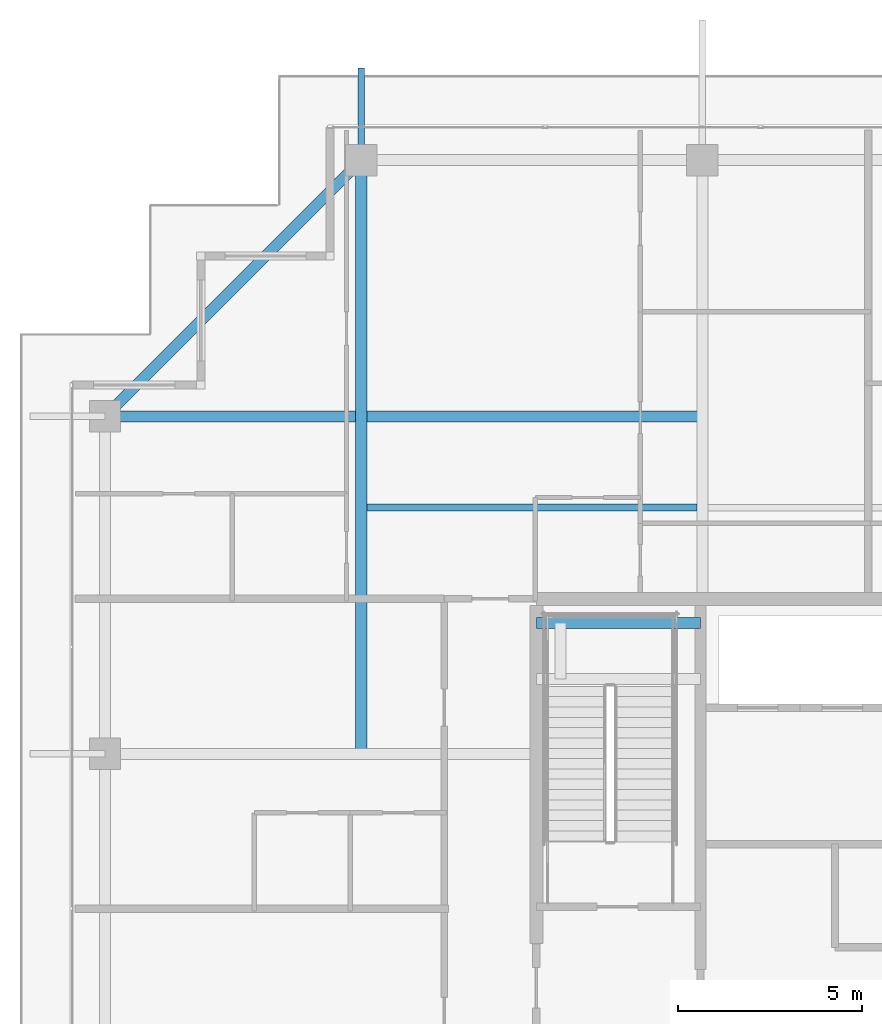
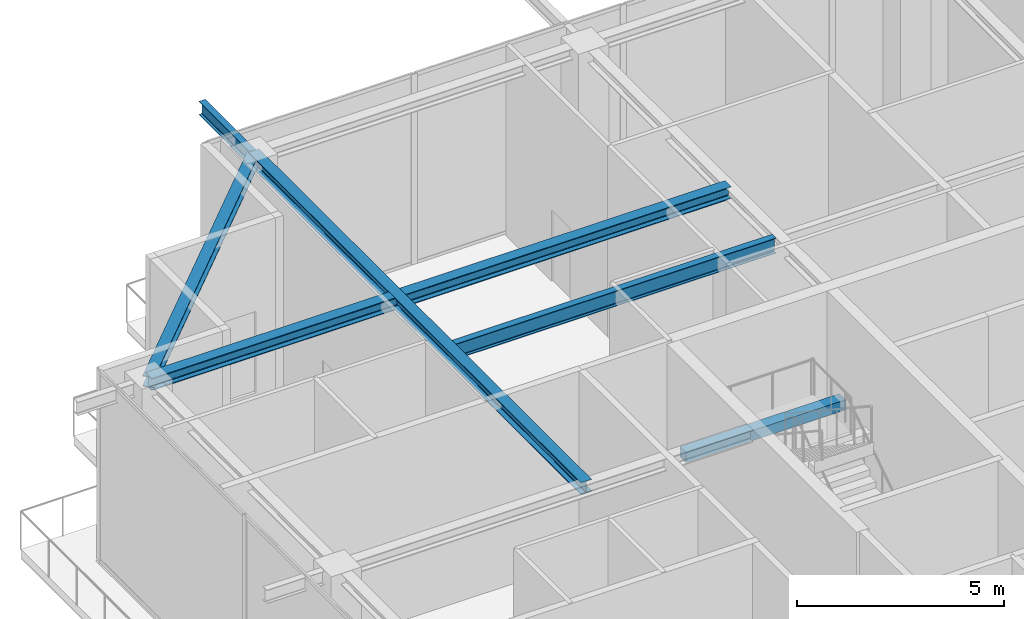
# One storey, part 18 of 38: 6 beams.
"""IFC4 building model written with IfcOpenShell, lengths in metres."""

from ifc_helpers import new_model, si_unit, direction, frame, origin, origin_2d, place, context, subcontext, project, spatial, rectangle, i_section, extrude, source, transform, mapped, material, material_profile, profile_set, type_object, element, save


model = new_model("IFC4")

# Units and contexts
model_context = context("Model", 3, precision=1e-05, world=origin(), true_north=direction((0.0, 1.0)))
body_context = subcontext(model_context, "Body", "Model", "MODEL_VIEW")
ifc_project = project(units=[si_unit("LENGTHUNIT", "METRE"), si_unit("AREAUNIT", "SQUARE_METRE"), si_unit("VOLUMEUNIT", "CUBIC_METRE"), si_unit("PLANEANGLEUNIT", "RADIAN"), si_unit("MASSUNIT", "GRAM", prefix="KILO")], contexts=[model_context])

# Site, building, storey
site_placement = place(None, origin())
site = spatial("IfcSite", under=ifc_project, at=site_placement, CompositionType="ELEMENT")
building_placement = place(site_placement, origin())
building = spatial("IfcBuilding", under=site, at=building_placement, Name="Serunith Strait Residences", CompositionType="ELEMENT")
storey_placement = place(building_placement, frame((0.0, 0.0, 342.050048828125)))
storey = spatial("IfcBuildingStorey", under=building, at=storey_placement, Name="L85", CompositionType="ELEMENT", Elevation=342.050048828125)

# Beams
ifc_material_1 = material(Name="Steel S355J2", Category="steel")
ifc_material_profile_1 = material_profile(ifc_material_1, i_section(OverallWidth=0.300048828125, OverallDepth=0.360107421875, WebThickness=0.012451171875, FlangeThickness=0.0224609375, FilletRadius=0.027099609375, at=origin_2d()), Name="HEB 360")
ifc_profile_set_1 = profile_set([ifc_material_profile_1], Name="Steel S355J2")
beam_type_1 = type_object("IfcBeamType", Name="BM-HEB360", PredefinedType="BEAM", material=ifc_profile_set_1)
shared_shape_1 = source(origin(), body_context, "Body", "SweptSolid", [
    extrude(i_section(OverallWidth=0.300048828125, OverallDepth=0.360107421875, WebThickness=0.012451171875, FlangeThickness=0.0224609375, FilletRadius=0.027099609375, at=origin_2d()), origin(), (0.0, 0.0, 1.0), 16.10009765625),
])
beam_1_placement = place(storey_placement, frame((18.64990234375, 29.39990234375, 5.45703125), z_axis=(0.0, 1.0, 0.0), x_axis=(-1.0, 0.0, 0.0)))
element("IfcBeam", 1, at=beam_1_placement, inside=storey, type_object=beam_type_1, Name="L85 Orthogonal Corner Girder TC-N1", PredefinedType="BEAM", context=body_context, shape_type="MappedRepresentation", body=[
    mapped(shared_shape_1, transform((0.0, 0.0, 0.0), scale=1.0)),
])
shared_shape_2 = source(origin(), body_context, "Body", "SweptSolid", [
    extrude(i_section(OverallWidth=0.300048828125, OverallDepth=0.360107421875, WebThickness=0.012451171875, FlangeThickness=0.0224609375, FilletRadius=0.027099609375, at=origin_2d()), origin(), (0.0, 0.0, 1.0), 16.199951171875),
])
beam_2_placement = place(storey_placement, frame((27.89990234375, 38.550048828125, 5.45703125), z_axis=(-1.0, 0.0, 0.0), x_axis=(0.0, -1.0, 0.0)))
element("IfcBeam", 2, at=beam_2_placement, inside=storey, type_object=beam_type_1, Name="L85 Orthogonal Corner Girder TC-W4", PredefinedType="BEAM", context=body_context, shape_type="MappedRepresentation", body=[
    mapped(shared_shape_2, transform((0.0, 0.0, 0.0), scale=1.0)),
])
ifc_material_profile_2 = material_profile(ifc_material_1, i_section(OverallWidth=0.300048828125, OverallDepth=0.320068359375, WebThickness=0.011474609375, FlangeThickness=0.0205078125, FilletRadius=0.027099609375, at=origin_2d()), Name="HEB 320")
ifc_profile_set_2 = profile_set([ifc_material_profile_2], Name="Steel S355J2")
beam_type_2 = type_object("IfcBeamType", Name="BM-HEB320", PredefinedType="BEAM", material=ifc_profile_set_2)
shared_shape_3 = source(origin(), body_context, "Body", "SweptSolid", [
    extrude(i_section(OverallWidth=0.300048828125, OverallDepth=0.320068359375, WebThickness=0.011474609375, FlangeThickness=0.0205078125, FilletRadius=0.027099609375, at=origin_2d()), origin(), (0.0, 0.0, 1.0), 9.82861328125),
])
beam_3_placement = place(storey_placement, frame((18.64990234375, 45.5, 5.447021484375), z_axis=(-0.707106781187, -0.707106781187, 0.0), x_axis=(0.707106781187, -0.707106781187, 0.0)))
element("IfcBeam", 3, at=beam_3_placement, inside=storey, type_object=beam_type_2, Name="L85 Perimeter Ring Beam 12", PredefinedType="BEAM", context=body_context, shape_type="MappedRepresentation", body=[
    mapped(shared_shape_3, transform((0.0, 0.0, 0.0), scale=1.0)),
])
ifc_material_profile_3 = material_profile(ifc_material_1, i_section(OverallWidth=0.18994140625, OverallDepth=0.449951171875, WebThickness=0.009521484375, FlangeThickness=0.0146484375, FilletRadius=0.02099609375, at=origin_2d()), Name="IPE 450")
ifc_profile_set_3 = profile_set([ifc_material_profile_3], Name="Steel S355J2")
beam_type_3 = type_object("IfcBeamType", Name="BM-IPE450", PredefinedType="JOIST", material=ifc_profile_set_3)
shared_shape_4 = source(origin(), body_context, "Body", "SweptSolid", [
    extrude(i_section(OverallWidth=0.18994140625, OverallDepth=0.449951171875, WebThickness=0.009521484375, FlangeThickness=0.0146484375, FilletRadius=0.02099609375, at=origin_2d()), origin(), (0.0, 0.0, 1.0), 8.949951171875),
])
beam_4_placement = place(storey_placement, frame((18.800048828125, 36.074951171875, 5.411865234375), z_axis=(1.0, 0.0, 0.0), x_axis=(0.0, 1.0, 0.0)))
element("IfcBeam", 4, at=beam_4_placement, inside=storey, type_object=beam_type_3, Name="L85 Composite Floor Joist 04", PredefinedType="JOIST", context=body_context, shape_type="MappedRepresentation", body=[
    mapped(shared_shape_4, transform((0.0, 0.0, 0.0), scale=1.0)),
])
ifc_material_profile_4 = material_profile(ifc_material_1, i_section(OverallWidth=0.179931640625, OverallDepth=0.39990234375, WebThickness=0.008544921875, FlangeThickness=0.013427734375, FilletRadius=0.02099609375, at=origin_2d()), Name="IPE 400")
ifc_profile_set_4 = profile_set([ifc_material_profile_4], Name="Steel S355J2")
beam_type_4 = type_object("IfcBeamType", Name="BM-IPE400", PredefinedType="JOIST", material=ifc_profile_set_4)
shared_shape_5 = source(origin(), body_context, "Body", "SweptSolid", [
    extrude(i_section(OverallWidth=0.179931640625, OverallDepth=0.39990234375, WebThickness=0.008544921875, FlangeThickness=0.013427734375, FilletRadius=0.02099609375, at=origin_2d()), origin(), (0.0, 0.0, 1.0), 2.496337890625),
])
beam_5_placement = place(storey_placement, frame((18.64990234375, 45.5, 5.406982421875), z_axis=(0.0, 1.0, 0.0), x_axis=(-1.0, 0.0, 0.0)))
element("IfcBeam", 5, at=beam_5_placement, inside=storey, type_object=beam_type_4, Name="L86 Cantilevered Balcony Rib TC-N1", PredefinedType="JOIST", context=body_context, shape_type="MappedRepresentation", body=[
    mapped(shared_shape_5, transform((0.0, 0.0, 0.0), scale=1.0)),
])
ifc_material_2 = material(Name="Concrete C60/75", Category="concrete")
ifc_material_profile_5 = material_profile(ifc_material_2, rectangle(XDim=0.300048828125, YDim=0.300048828125, at=origin_2d()), Name="RC 300x300")
ifc_profile_set_5 = profile_set([ifc_material_profile_5], Name="Concrete C60/75")
beam_type_5 = type_object("IfcBeamType", Name="BM-LAND-300x300", PredefinedType="BEAM", material=ifc_profile_set_5)
shared_shape_6 = source(origin(), body_context, "Body", "SweptSolid", [
    extrude(rectangle(XDim=0.300048828125, YDim=0.300048828125, at=origin_2d()), origin(), (0.0, 0.0, 1.0), 4.4501953125),
])
beam_6_placement = place(storey_placement, frame((23.39990234375, 32.949951171875, 2.599853515625), z_axis=(1.0, 0.0, 0.0), x_axis=(0.0, 1.0, 0.0)))
element("IfcBeam", 6, at=beam_6_placement, inside=storey, type_object=beam_type_5, Name="L85 ST-1 Landing Support Beam 2", PredefinedType="BEAM", context=body_context, shape_type="MappedRepresentation", body=[
    mapped(shared_shape_6, transform((0.0, 0.0, 0.0), scale=1.0)),
])

save(model, "model.ifc")
